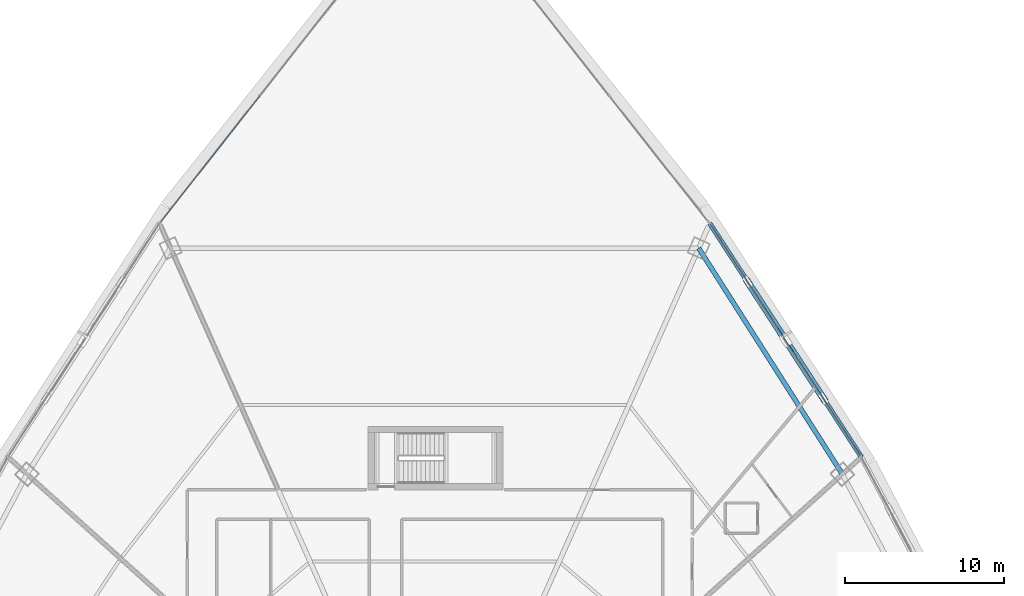
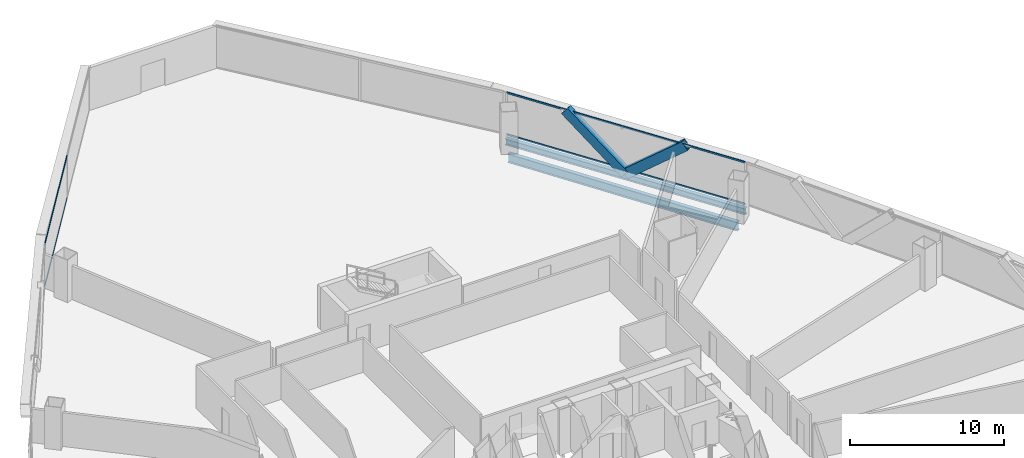
# One storey, part 26 of 42: 6 members, 2 beams, 2 elements without a shape of their own.
"""IFC4 building model written with IfcOpenShell, lengths in metres."""

from ifc_helpers import new_model, si_unit, direction, frame, origin, origin_2d, place, context, subcontext, project, spatial, hollow_rectangle, i_section, extrude, source, transform, mapped, material, layer, layer_set, material_profile, profile_set, type_object, element, aggregate, save


model = new_model("IFC4")

# Units and contexts
model_context = context("Model", 3, precision=1e-05, world=origin(), true_north=direction((0.0, 1.0)))
body_context = subcontext(model_context, "Body", "Model", "MODEL_VIEW")
ifc_project = project(units=[si_unit("LENGTHUNIT", "METRE"), si_unit("AREAUNIT", "SQUARE_METRE"), si_unit("VOLUMEUNIT", "CUBIC_METRE"), si_unit("PLANEANGLEUNIT", "RADIAN"), si_unit("MASSUNIT", "GRAM", prefix="KILO"), si_unit("THERMODYNAMICTEMPERATUREUNIT", "KELVIN"), si_unit("POWERUNIT", "WATT")], contexts=[model_context])

# Site, building, storey
site_placement = place(None, origin())
site = spatial("IfcSite", under=ifc_project, at=site_placement, CompositionType="ELEMENT")
building_placement = place(site_placement, origin())
building = spatial("IfcBuilding", under=site, at=building_placement, Name="Yunzhuo Pagoda Commons", CompositionType="ELEMENT")
storey_placement = place(building_placement, frame((0.0, 0.0, 41.2900390625)))
storey = spatial("IfcBuildingStorey", under=building, at=storey_placement, Name="L10", CompositionType="ELEMENT", Elevation=41.2900390625)

# Beams
ifc_material_1 = material(Name="Structural steel Q355B", Category="steel")
ifc_material_profile_1 = material_profile(ifc_material_1, i_section(OverallWidth=0.300048828125, OverallDepth=0.699951171875, WebThickness=0.012939453125, FlangeThickness=0.02392578125, at=origin_2d()), Name="Structural steel Q355B")
ifc_profile_set_1 = profile_set([ifc_material_profile_1], Name="Structural steel Q355B")
beam_type_1 = type_object("IfcBeamType", Name="B-RG1 Beam HN 700x300x13x24", PredefinedType="BEAM", material=ifc_profile_set_1)
shared_shape_1 = source(origin(), body_context, "Body", "SweptSolid", [
    extrude(i_section(OverallWidth=0.300048828125, OverallDepth=0.699951171875, WebThickness=0.012939453125, FlangeThickness=0.02392578125, at=origin_2d()), origin(), (0.0, 0.0, 1.0), 16.843994140625),
])
beam_1_placement = place(storey_placement, frame((73.648681640625, 56.79443359375, -0.610107421875), z_axis=(-0.536558458992, 0.843863152462, 0.0), x_axis=(-0.843863152462, -0.536558458992, 0.0)))
element("IfcBeam", 1, at=beam_1_placement, inside=storey, type_object=beam_type_1, Name="L10 column-ring beam 7", PredefinedType="BEAM", context=body_context, shape_type="MappedRepresentation", body=[
    mapped(shared_shape_1, transform((0.0, 0.0, 0.0), scale=1.0)),
])
ifc_material_profile_2 = material_profile(ifc_material_1, i_section(OverallWidth=0.300048828125, OverallDepth=0.488037109375, WebThickness=0.010986328125, FlangeThickness=0.01806640625, at=origin_2d()), Name="Structural steel Q355B")
ifc_profile_set_2 = profile_set([ifc_material_profile_2], Name="Structural steel Q355B")
beam_type_2 = type_object("IfcBeamType", Name="B-SP1 Beam HM 488x300x11x18", PredefinedType="BEAM", material=ifc_profile_set_2)
shared_shape_2 = source(origin(), body_context, "Body", "SweptSolid", [
    extrude(i_section(OverallWidth=0.300048828125, OverallDepth=0.488037109375, WebThickness=0.010986328125, FlangeThickness=0.01806640625, at=origin_2d()), origin(), (0.0, 0.0, 1.0), 17.521728515625),
])
beam_2_placement = place(storey_placement, frame((74.847412109375, 57.873291015625, -0.504150390625), z_axis=(-0.544582276672, 0.838707424514, 0.0), x_axis=(-0.838707424514, -0.544582276672, 0.0)))
element("IfcBeam", 2, at=beam_2_placement, inside=storey, type_object=beam_type_2, Name="L10 facade edge spandrel beam F2.3", PredefinedType="BEAM", context=body_context, shape_type="MappedRepresentation", body=[
    mapped(shared_shape_2, transform((0.0, 0.0, 0.0), scale=1.0)),
])

# Members
ifc_material_2 = material(Name="Structural steel Q420B", Category="steel")
ifc_material_profile_3 = material_profile(ifc_material_2, hollow_rectangle(XDim=0.419921875, YDim=0.719970703125, WallThickness=0.028076171875, at=origin_2d()), Name="Structural steel Q420B")
ifc_profile_set_3 = profile_set([ifc_material_profile_3], Name="Structural steel Q420B")
member_type_1 = type_object("IfcMemberType", Name="M-DL1 Brace BOX 720x420x28", PredefinedType="BRACE", material=ifc_profile_set_3)
shared_shape_3 = source(origin(), body_context, "Body", "SweptSolid", [
    extrude(hollow_rectangle(XDim=0.419921875, YDim=0.719970703125, WallThickness=0.028076171875, at=origin_2d()), origin(), (0.0, 0.0, 1.0), 5.68896484375),
])
for number, where, z_axis, x_axis, name in (
    (3, (70.076416015625, 65.22119140625, -0.260009765625), (0.419312869877, -0.64581305688, 0.638045619622), (0.838719820752, 0.544563184834, 0.0), "L10 facade diamond brace F2.3L"),
    (4, (70.076416015625, 65.22119140625, -0.260009765625), (-0.419312869877, 0.64581305688, 0.638045619622), (-0.838719820752, -0.544563184834, 0.0), "L10 facade diamond brace F2.3R"),
):
    element("IfcMember", number, at=place(storey_placement, frame(where, z_axis=z_axis, x_axis=x_axis)), inside=storey, type_object=member_type_1, Name=name, PredefinedType="BRACE", context=body_context, shape_type="MappedRepresentation", body=[
        mapped(shared_shape_3, transform((0.0, 0.0, 0.0), scale=1.0)),
    ])

# Curtain wall, members
ifc_material_3 = material(Name="Anodized aluminium 6063-T6", Category="aluminium")
ifc_layer = layer(ifc_material_3, 0.1650390625)
ifc_layer_set = layer_set([ifc_layer], Name="Anodized aluminium 6063-T6")
curtain_wall_type = type_object("IfcCurtainWallType", Name="CW-LOW Low-Zone Ribbon Curtain Wall", PredefinedType="NOTDEFINED", material=ifc_layer_set)
curtain_wall_1_placement = place(storey_placement, origin())
curtain_wall_1 = element("IfcCurtainWall", 5, at=curtain_wall_1_placement, inside=storey, type_object=curtain_wall_type, Name="L10 curtain wall CW-L10-F2B4", PredefinedType="NOTDEFINED")
ifc_material_profile_4 = material_profile(ifc_material_3, hollow_rectangle(XDim=0.06005859375, YDim=0.139892578125, WallThickness=0.00341796875, at=origin_2d()), Name="Anodized aluminium 6063-T6")
ifc_profile_set_4 = profile_set([ifc_material_profile_4], Name="Anodized aluminium 6063-T6")
member_type_2 = type_object("IfcMemberType", Name="CW-LOW-T Transom RHS 140x60x3.5", PredefinedType="USERDEFINED", material=ifc_profile_set_4)
shared_shape_4 = source(origin(), body_context, "Body", "SweptSolid", [
    extrude(hollow_rectangle(XDim=0.06005859375, YDim=0.139892578125, WallThickness=0.00341796875, at=origin_2d()), origin(), (0.0, 0.0, 1.0), 17.391357421875),
])
member_1_placement = place(storey_placement, frame((74.81201171875, 57.92822265625, 0.030029296875), z_axis=(-0.544591079988, 0.838701708355, 0.0), x_axis=(-0.838701708355, -0.544591079988, 0.0)))
member_1 = element("IfcMember", 6, at=member_1_placement, type_object=member_type_2, Name="CW transom 1.1", ObjectType="TRANSOM", PredefinedType="USERDEFINED", context=body_context, shape_type="MappedRepresentation", body=[
    mapped(shared_shape_4, transform((0.0, 0.0, 0.0), scale=1.0)),
])
member_2_placement = place(storey_placement, frame((74.81201171875, 57.92822265625, 3.33984375), z_axis=(-0.544591079988, 0.838701708355, 0.0), x_axis=(-0.838701708355, -0.544591079988, 0.0)))
member_2 = element("IfcMember", 7, at=member_2_placement, type_object=member_type_2, Name="CW transom 1.2", ObjectType="TRANSOM", PredefinedType="USERDEFINED", context=body_context, shape_type="MappedRepresentation", body=[
    mapped(shared_shape_4, transform((0.0, 0.0, 0.0), scale=1.0)),
])
aggregate(curtain_wall_1, [member_1, member_2])

curtain_wall_2_placement = place(storey_placement, origin())
curtain_wall_2 = element("IfcCurtainWall", 8, at=curtain_wall_2_placement, inside=storey, type_object=curtain_wall_type, Name="L10 curtain wall CW-L10-F3B1", PredefinedType="NOTDEFINED")
shared_shape_5 = source(origin(), body_context, "Body", "SweptSolid", [
    extrude(hollow_rectangle(XDim=0.06005859375, YDim=0.139892578125, WallThickness=0.00341796875, at=origin_2d()), origin(), (0.0, 0.0, 1.0), 10.042724609375),
])
member_3_placement = place(storey_placement, frame((36.9912109375, 80.571044921875, 0.030029296875), z_axis=(-0.618380762266, -0.785878637488, 0.0), x_axis=(0.785878637488, -0.618380762266, 0.0)))
member_3 = element("IfcMember", 9, at=member_3_placement, type_object=member_type_2, Name="CW transom 2.1", ObjectType="TRANSOM", PredefinedType="USERDEFINED", context=body_context, shape_type="MappedRepresentation", body=[
    mapped(shared_shape_5, transform((0.0, 0.0, 0.0), scale=1.0)),
])
member_4_placement = place(storey_placement, frame((36.9912109375, 80.571044921875, 3.33984375), z_axis=(-0.618380762266, -0.785878637488, 0.0), x_axis=(0.785878637488, -0.618380762266, 0.0)))
member_4 = element("IfcMember", 10, at=member_4_placement, type_object=member_type_2, Name="CW transom 2.2", ObjectType="TRANSOM", PredefinedType="USERDEFINED", context=body_context, shape_type="MappedRepresentation", body=[
    mapped(shared_shape_5, transform((0.0, 0.0, 0.0), scale=1.0)),
])
aggregate(curtain_wall_2, [member_3, member_4])

save(model, "model.ifc")
